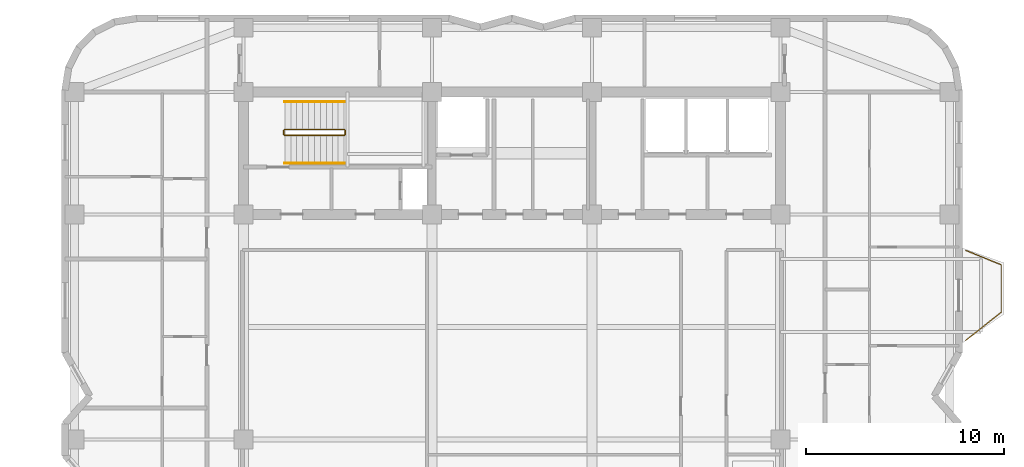
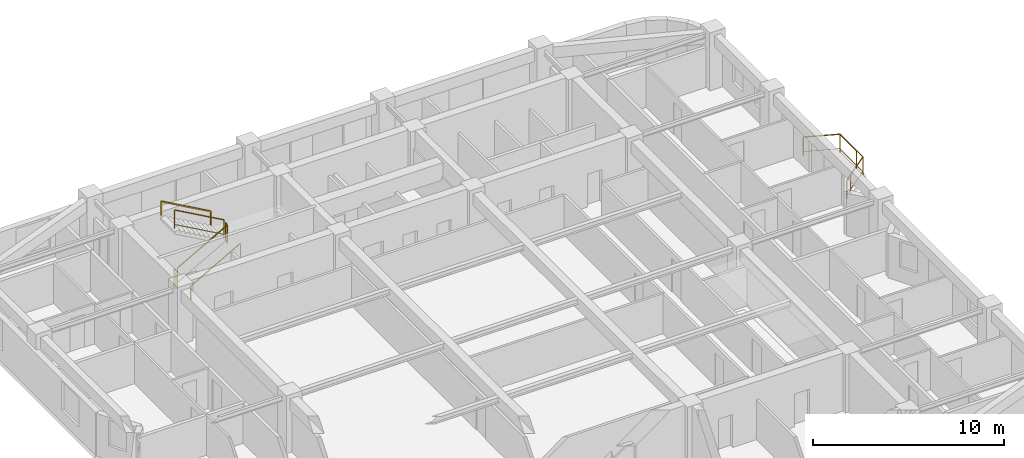
# One storey, part 9 of 9: 7 railings.
"""IFC4 building model written with IfcOpenShell, lengths in metres."""

from ifc_helpers import new_model, si_unit, direction, frame, origin, origin_2d, place, context, subcontext, project, spatial, rectangle, extrude, material, type_object, element, save


model = new_model("IFC4")

# Units and contexts
model_context = context("Model", 3, precision=1e-05, world=origin(), true_north=direction((0.0, 1.0)))
body_context = subcontext(model_context, "Body", "Model", "MODEL_VIEW")
ifc_project = project(units=[si_unit("LENGTHUNIT", "METRE"), si_unit("AREAUNIT", "SQUARE_METRE"), si_unit("VOLUMEUNIT", "CUBIC_METRE"), si_unit("PLANEANGLEUNIT", "RADIAN"), si_unit("MASSUNIT", "GRAM", prefix="KILO")], contexts=[model_context])

# Site, building, storey
site_placement = place(None, origin())
site = spatial("IfcSite", under=ifc_project, at=site_placement, CompositionType="ELEMENT")
building_placement = place(site_placement, origin())
building = spatial("IfcBuilding", under=site, at=building_placement, Name="Svetorya Sky Lyceum", CompositionType="ELEMENT")
storey_placement = place(building_placement, frame((0.0, 0.0, 166.300048828125)))
storey = spatial("IfcBuildingStorey", under=building, at=storey_placement, Name="L41", CompositionType="ELEMENT", Elevation=166.300048828125)

# Railings
ifc_material_1 = material(Name="Laminated safety glass and stainless AISI 316", Category="glass")
railing_type_1 = type_object("IfcRailingType", Name="RL-BAL-1200", PredefinedType="BALUSTRADE", material=ifc_material_1)
railing_1_placement = place(storey_placement, frame((62.169921875, 37.780029296875, 0.0)))
element("IfcRailing", 1, at=railing_1_placement, inside=storey, type_object=railing_type_1, Name="L41 Balcony Balustrade BAL-E1", PredefinedType="BALUSTRADE", context=body_context, shape_type="SweptSolid", body=[
    extrude(rectangle(XDim=0.048095703125, YDim=0.048095703125, at=origin_2d()), frame((0.0, 0.0, 1.17578125), z_axis=(0.926697865975, -0.375807218129, 0.0), x_axis=(0.375807218129, 0.926697865975, 0.0)), (0.0, 0.0, 1.0), 1.9423828125),
    extrude(rectangle(XDim=0.02392578125, YDim=0.02392578125, at=origin_2d()), frame((0.0, 0.0, 0.25), z_axis=(0.926697865975, -0.375807218129, 0.0), x_axis=(0.375807218129, 0.926697865975, 0.0)), (0.0, 0.0, 1.0), 1.9423828125),
    extrude(rectangle(XDim=0.048095703125, YDim=0.048095703125, at=origin_2d()), frame((1.800048828125, -0.72998046875, 1.17578125), z_axis=(0.0, -1.0, 0.0), x_axis=(1.0, 0.0, 0.0)), (0.0, 0.0, 1.0), 2.400146484375),
    extrude(rectangle(XDim=0.02392578125, YDim=0.02392578125, at=origin_2d()), frame((1.800048828125, -0.72998046875, 0.25), z_axis=(0.0, -1.0, 0.0), x_axis=(1.0, 0.0, 0.0)), (0.0, 0.0, 1.0), 2.400146484375),
    extrude(rectangle(XDim=0.048095703125, YDim=0.048095703125, at=origin_2d()), frame((1.800048828125, -3.130126953125, 1.17578125), z_axis=(-0.783008919264, -0.622010476079, 0.0), x_axis=(0.622010476079, -0.783008919264, 0.0)), (0.0, 0.0, 1.0), 2.298828125),
    extrude(rectangle(XDim=0.02392578125, YDim=0.02392578125, at=origin_2d()), frame((1.800048828125, -3.130126953125, 0.25), z_axis=(-0.783008919264, -0.622010476079, 0.0), x_axis=(0.622010476079, -0.783008919264, 0.0)), (0.0, 0.0, 1.0), 2.298828125),
    extrude(rectangle(XDim=0.0419921875, YDim=0.0419921875, at=origin_2d()), origin(), (0.0, 0.0, 1.0), 1.15185546875),
    extrude(rectangle(XDim=0.0419921875, YDim=0.0419921875, at=origin_2d()), frame((1.800048828125, -0.72998046875, 0.0)), (0.0, 0.0, 1.0), 1.15185546875),
    extrude(rectangle(XDim=0.0419921875, YDim=0.0419921875, at=origin_2d()), frame((1.800048828125, -2.47998046875, 0.0)), (0.0, 0.0, 1.0), 1.15185546875),
    extrude(rectangle(XDim=0.0419921875, YDim=0.0419921875, at=origin_2d()), frame((1.800048828125, -3.130126953125, 0.0)), (0.0, 0.0, 1.0), 1.15185546875),
    extrude(rectangle(XDim=0.0419921875, YDim=0.0419921875, at=origin_2d()), frame((0.4296875, -4.21875, 0.0)), (0.0, 0.0, 1.0), 1.15185546875),
    extrude(rectangle(XDim=0.0419921875, YDim=0.0419921875, at=origin_2d()), frame((0.0, -4.56005859375, 0.0)), (0.0, 0.0, 1.0), 1.15185546875),
])
ifc_material_2 = material(Name="Painted galvanized stair well guard")
railing_type_2 = type_object("IfcRailingType", Name="RL-STR-GUARD-1200", PredefinedType="GUARDRAIL", material=ifc_material_2)
railing_2_placement = place(storey_placement, frame((27.699951171875, 43.60009765625, 0.168212890625)))
element("IfcRailing", 2, at=railing_2_placement, inside=storey, type_object=railing_type_2, Name="L41 ST-N stair guard 1", PredefinedType="GUARDRAIL", context=body_context, shape_type="SweptSolid", body=[
    extrude(rectangle(XDim=0.048095703125, YDim=0.048095703125, at=origin_2d()), frame((0.0, 0.0, 1.17578125), z_axis=(0.872302573547, 0.0, 0.488966481656), x_axis=(0.0, 1.0, 0.0)), (0.0, 0.0, 1.0), 3.439208984375),
    extrude(rectangle(XDim=0.02392578125, YDim=0.02392578125, at=origin_2d()), frame((0.0, 0.0, 0.25), z_axis=(0.872302573547, 0.0, 0.488966481656), x_axis=(0.0, 1.0, 0.0)), (0.0, 0.0, 1.0), 3.439208984375),
    extrude(rectangle(XDim=0.0419921875, YDim=0.0419921875, at=origin_2d()), origin(), (0.0, 0.0, 1.0), 1.15185546875),
    extrude(rectangle(XDim=0.0419921875, YDim=0.0419921875, at=origin_2d()), frame((3.0, 0.0, 1.681640625)), (0.0, 0.0, 1.0), 1.15185546875),
])
railing_3_placement = place(storey_placement, frame((30.75, 43.64990234375, 1.849853515625)))
element("IfcRailing", 3, at=railing_3_placement, inside=storey, type_object=railing_type_2, Name="L41 ST-N stair guard 2", PredefinedType="GUARDRAIL", context=body_context, shape_type="SweptSolid", body=[
    extrude(rectangle(XDim=0.048095703125, YDim=0.048095703125, at=origin_2d()), frame((0.0, 0.0, 1.17578125), z_axis=(0.0, 1.0, 0.0), x_axis=(-1.0, 0.0, 0.0)), (0.0, 0.0, 1.0), 0.2001953125),
    extrude(rectangle(XDim=0.02392578125, YDim=0.02392578125, at=origin_2d()), frame((0.0, 0.0, 0.25), z_axis=(0.0, 1.0, 0.0), x_axis=(-1.0, 0.0, 0.0)), (0.0, 0.0, 1.0), 0.2001953125),
    extrude(rectangle(XDim=0.0419921875, YDim=0.0419921875, at=origin_2d()), origin(), (0.0, 0.0, 1.0), 1.15185546875),
    extrude(rectangle(XDim=0.0419921875, YDim=0.0419921875, at=origin_2d()), frame((0.0, 0.2001953125, 0.0)), (0.0, 0.0, 1.0), 1.15185546875),
])
railing_4_placement = place(storey_placement, frame((30.699951171875, 43.89990234375, 2.01806640625)))
element("IfcRailing", 4, at=railing_4_placement, inside=storey, type_object=railing_type_2, Name="L41 ST-N stair guard 3", PredefinedType="GUARDRAIL", context=body_context, shape_type="SweptSolid", body=[
    extrude(rectangle(XDim=0.048095703125, YDim=0.048095703125, at=origin_2d()), frame((0.0, 0.0, 1.17578125), z_axis=(-0.872272294576, 0.0, 0.489020494575), x_axis=(0.0, -1.0, 0.0)), (0.0, 0.0, 1.0), 3.439208984375),
    extrude(rectangle(XDim=0.02392578125, YDim=0.02392578125, at=origin_2d()), frame((0.0, 0.0, 0.25), z_axis=(-0.872272294576, 0.0, 0.489020494575), x_axis=(0.0, -1.0, 0.0)), (0.0, 0.0, 1.0), 3.439208984375),
    extrude(rectangle(XDim=0.0419921875, YDim=0.0419921875, at=origin_2d()), origin(), (0.0, 0.0, 1.0), 1.15185546875),
    extrude(rectangle(XDim=0.0419921875, YDim=0.0419921875, at=origin_2d()), frame((-3.0, 0.0, 1.681884765625)), (0.0, 0.0, 1.0), 1.15185546875),
])
railing_5_placement = place(storey_placement, frame((27.64990234375, 43.64990234375, 0.0)))
element("IfcRailing", 5, at=railing_5_placement, inside=storey, type_object=railing_type_2, Name="L41 ST-N stair guard 4", PredefinedType="GUARDRAIL", context=body_context, shape_type="SweptSolid", body=[
    extrude(rectangle(XDim=0.048095703125, YDim=0.048095703125, at=origin_2d()), frame((0.0, 0.0, 1.17578125), z_axis=(0.0, 1.0, 0.0), x_axis=(-1.0, 0.0, 0.0)), (0.0, 0.0, 1.0), 0.2001953125),
    extrude(rectangle(XDim=0.02392578125, YDim=0.02392578125, at=origin_2d()), frame((0.0, 0.0, 0.25), z_axis=(0.0, 1.0, 0.0), x_axis=(-1.0, 0.0, 0.0)), (0.0, 0.0, 1.0), 0.2001953125),
    extrude(rectangle(XDim=0.0419921875, YDim=0.0419921875, at=origin_2d()), origin(), (0.0, 0.0, 1.0), 1.15185546875),
    extrude(rectangle(XDim=0.0419921875, YDim=0.0419921875, at=origin_2d()), frame((0.0, 0.2001953125, 0.0)), (0.0, 0.0, 1.0), 1.15185546875),
])
ifc_material_3 = material(Name="Brushed stainless AISI 304 stair handrail")
railing_type_3 = type_object("IfcRailingType", Name="RL-STR-HAND-920", PredefinedType="HANDRAIL", material=ifc_material_3)
railing_6_placement = place(storey_placement, frame((27.699951171875, 42.199951171875, 0.168212890625)))
element("IfcRailing", 6, at=railing_6_placement, inside=storey, type_object=railing_type_3, Name="L41 ST-N stair handrail 1", PredefinedType="HANDRAIL", context=body_context, shape_type="SweptSolid", body=[
    extrude(rectangle(XDim=0.048095703125, YDim=0.048095703125, at=origin_2d()), frame((0.0, 0.0, 0.8759765625), z_axis=(0.872302573547, 0.0, 0.488966481656), x_axis=(0.0, 1.0, 0.0)), (0.0, 0.0, 1.0), 3.439208984375),
    extrude(rectangle(XDim=0.0419921875, YDim=0.0419921875, at=origin_2d()), origin(), (0.0, 0.0, 1.0), 0.851806640625),
    extrude(rectangle(XDim=0.0419921875, YDim=0.0419921875, at=origin_2d()), frame((3.0, 0.0, 1.681640625)), (0.0, 0.0, 1.0), 0.851806640625),
])
railing_7_placement = place(storey_placement, frame((30.699951171875, 45.300048828125, 2.01806640625)))
element("IfcRailing", 7, at=railing_7_placement, inside=storey, type_object=railing_type_3, Name="L41 ST-N stair handrail 2", PredefinedType="HANDRAIL", context=body_context, shape_type="SweptSolid", body=[
    extrude(rectangle(XDim=0.048095703125, YDim=0.048095703125, at=origin_2d()), frame((0.0, 0.0, 0.8759765625), z_axis=(-0.872272294576, 0.0, 0.489020494575), x_axis=(0.0, -1.0, 0.0)), (0.0, 0.0, 1.0), 3.439208984375),
    extrude(rectangle(XDim=0.0419921875, YDim=0.0419921875, at=origin_2d()), origin(), (0.0, 0.0, 1.0), 0.851806640625),
    extrude(rectangle(XDim=0.0419921875, YDim=0.0419921875, at=origin_2d()), frame((-3.0, 0.0, 1.681884765625)), (0.0, 0.0, 1.0), 0.851806640625),
])

save(model, "model.ifc")
